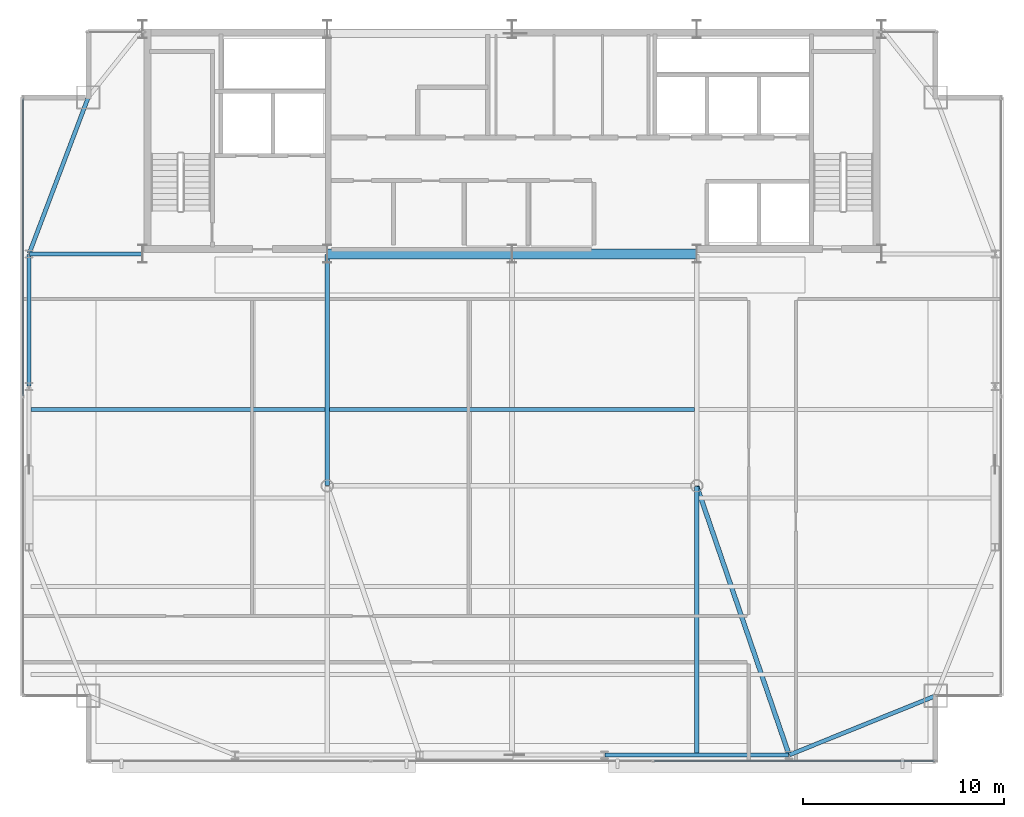
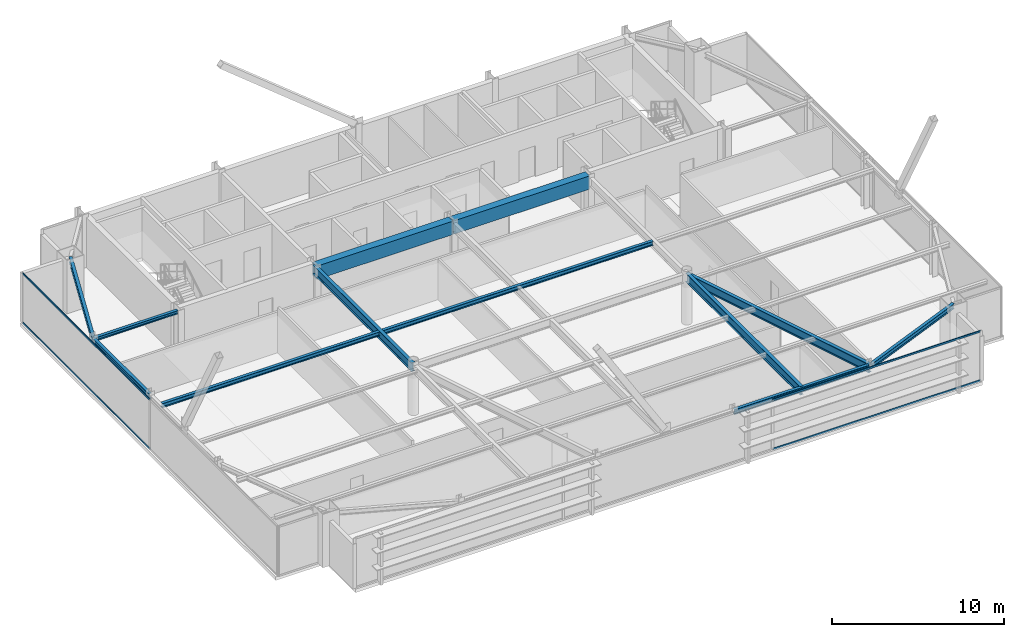
# One storey, part 11 of 27: 12 beams, 4 members, 2 elements without a shape of their own.
"""IFC4 building model written with IfcOpenShell, lengths in metres."""

from ifc_helpers import new_model, si_unit, direction, frame, origin, origin_2d, place, context, subcontext, project, spatial, rectangle, hollow_rectangle, i_section, extrude, source, transform, mapped, material, layer, layer_set, material_profile, profile_set, type_object, type_shapes, element, aggregate, save


model = new_model("IFC4")

# Units and contexts
model_context = context("Model", 3, precision=1e-05, world=origin(), true_north=direction((0.0, 1.0)))
body_context = subcontext(model_context, "Body", "Model", "MODEL_VIEW")
ifc_project = project(units=[si_unit("LENGTHUNIT", "METRE"), si_unit("AREAUNIT", "SQUARE_METRE"), si_unit("VOLUMEUNIT", "CUBIC_METRE"), si_unit("PLANEANGLEUNIT", "RADIAN"), si_unit("MASSUNIT", "GRAM", prefix="KILO")], contexts=[model_context])

# Site, building, storey
site_placement = place(None, origin())
site = spatial("IfcSite", under=ifc_project, at=site_placement, CompositionType="ELEMENT")
building_placement = place(site_placement, origin())
building = spatial("IfcBuilding", under=site, at=building_placement, Name="Varnel Quay Broadcast Tower", CompositionType="ELEMENT")
storey_placement = place(building_placement, frame((0.0, 0.0, 203.60009765625)))
storey = spatial("IfcBuildingStorey", under=building, at=storey_placement, Name="L50", CompositionType="ELEMENT", Elevation=203.60009765625)

# Beams
ifc_material_1 = material(Name="Concrete CSA A23.3 C50/60", Category="concrete")
ifc_material_profile_1 = material_profile(ifc_material_1, rectangle(XDim=0.5, YDim=0.949951171875, at=origin_2d()), Name="RC500X950")
ifc_profile_set_1 = profile_set([ifc_material_profile_1], Name="Concrete CSA A23.3 C50/60")
beam_type_1 = type_object("IfcBeamType", Name="Beam_RC500X950", PredefinedType="BEAM", material=ifc_profile_set_1)
shared_shape_1 = source(origin(), body_context, "Body", "SweptSolid", [
    extrude(rectangle(XDim=0.5, YDim=0.949951171875, at=origin_2d()), origin(), (0.0, 0.0, 1.0), 9.159912109375),
])
type_shapes(beam_type_1, [shared_shape_1])
for number, where, z_axis, x_axis, name in (
    (1, (24.820068359375, 35.60009765625, 3.074951171875), (1.0, 0.0, 0.0), (0.0, 1.0, 0.0), "L50 Core Coupling Beam W"),
    (2, (34.02001953125, 35.60009765625, 3.074951171875), (1.0, 0.0, 0.0), (0.0, 1.0, 0.0), "L50 Core Coupling Beam E"),
):
    element("IfcBeam", number, at=place(storey_placement, frame(where, z_axis=z_axis, x_axis=x_axis)), inside=storey, type_object=beam_type_1, Name=name, PredefinedType="BEAM", context=body_context, shape_type="MappedRepresentation", body=[
        mapped(shared_shape_1, transform((0.0, 0.0, 0.0), x_axis=(1.0, 0.0, 0.0), y_axis=(0.0, 1.0, 0.0), z_axis=(0.0, 0.0, 1.0), scale=1.0)),
    ])
ifc_material_2 = material(Name="Structural Steel CSA G40.21 350W", Category="steel")
ifc_material_profile_2 = material_profile(ifc_material_2, i_section(OverallWidth=0.205078125, OverallDepth=0.35400390625, WebThickness=0.009521484375, FlangeThickness=0.016845703125, FilletRadius=0.012939453125, at=origin_2d()), Name="W360X79")
ifc_profile_set_2 = profile_set([ifc_material_profile_2], Name="Structural Steel CSA G40.21 350W")
beam_type_2 = type_object("IfcBeamType", Name="Beam_W360X79", PredefinedType="SPANDREL", material=ifc_profile_set_2)
shared_shape_2 = source(origin(), body_context, "Body", "SweptSolid", [
    extrude(i_section(OverallWidth=0.205078125, OverallDepth=0.35400390625, WebThickness=0.009521484375, FlangeThickness=0.016845703125, FilletRadius=0.012939453125, at=origin_2d()), origin(), (0.0, 0.0, 1.0), 7.83349609375),
])
beam_1_placement = place(storey_placement, frame((47.818603515625, 10.657470703125, 3.372802734375), z_axis=(0.927155449606, 0.374676890489, 0.0), x_axis=(-0.374676890489, 0.927155449606, 0.0)))
element("IfcBeam", 3, at=beam_1_placement, inside=storey, type_object=beam_type_2, Name="L50 South Spandrel TC-S4-MC-SE", PredefinedType="SPANDREL", context=body_context, shape_type="MappedRepresentation", body=[
    mapped(shared_shape_2, transform((0.0, 0.0, 0.0), x_axis=(1.0, 0.0, 0.0), y_axis=(0.0, 1.0, 0.0), z_axis=(0.0, 0.0, 1.0), scale=1.0)),
])
shared_shape_3 = source(origin(), body_context, "Body", "SweptSolid", [
    extrude(i_section(OverallWidth=0.205078125, OverallDepth=0.35400390625, WebThickness=0.009521484375, FlangeThickness=0.016845703125, FilletRadius=0.012939453125, at=origin_2d()), origin(), (0.0, 0.0, 1.0), 9.159912109375),
])
beam_2_placement = place(storey_placement, frame((38.6201171875, 10.64990234375, 3.372802734375), z_axis=(1.0, 0.0, 0.0), x_axis=(0.0, 1.0, 0.0)))
element("IfcBeam", 4, at=beam_2_placement, inside=storey, type_object=beam_type_2, Name="L50 South Spandrel TC-S3-TC-S4", PredefinedType="SPANDREL", context=body_context, shape_type="MappedRepresentation", body=[
    mapped(shared_shape_3, transform((0.0, 0.0, 0.0), x_axis=(1.0, 0.0, 0.0), y_axis=(0.0, 1.0, 0.0), z_axis=(0.0, 0.0, 1.0), scale=1.0)),
])
shared_shape_4 = source(origin(), body_context, "Body", "SweptSolid", [
    extrude(i_section(OverallWidth=0.205078125, OverallDepth=0.35400390625, WebThickness=0.009521484375, FlangeThickness=0.016845703125, FilletRadius=0.012939453125, at=origin_2d()), origin(), (0.0, 0.0, 1.0), 6.56005859375),
])
beam_3_placement = place(storey_placement, frame((9.949951171875, 29.02001953125, 3.372802734375), z_axis=(0.0, 1.0, 0.0), x_axis=(-1.0, 0.0, 0.0)))
element("IfcBeam", 5, at=beam_3_placement, inside=storey, type_object=beam_type_2, Name="L50 West Spandrel TC-W2-TC-W3", PredefinedType="SPANDREL", context=body_context, shape_type="MappedRepresentation", body=[
    mapped(shared_shape_4, transform((0.0, 0.0, 0.0), x_axis=(1.0, 0.0, 0.0), y_axis=(0.0, 1.0, 0.0), z_axis=(0.0, 0.0, 1.0), scale=1.0)),
])
shared_shape_5 = source(origin(), body_context, "Body", "SweptSolid", [
    extrude(i_section(OverallWidth=0.205078125, OverallDepth=0.35400390625, WebThickness=0.009521484375, FlangeThickness=0.016845703125, FilletRadius=0.012939453125, at=origin_2d()), origin(), (0.0, 0.0, 1.0), 8.29931640625),
])
type_shapes(beam_type_2, [shared_shape_2, shared_shape_3, shared_shape_4, shared_shape_5])
beam_4_placement = place(storey_placement, frame((9.95703125, 35.61865234375, 3.372802734375), z_axis=(0.353739782058, 0.935343876117, 0.0), x_axis=(-0.935343876117, 0.353739782058, 0.0)))
element("IfcBeam", 6, at=beam_4_placement, inside=storey, type_object=beam_type_2, Name="L50 West Spandrel TC-W3-MC-NW", PredefinedType="SPANDREL", context=body_context, shape_type="MappedRepresentation", body=[
    mapped(shared_shape_5, transform((0.0, 0.0, 0.0), x_axis=(1.0, 0.0, 0.0), y_axis=(0.0, 1.0, 0.0), z_axis=(0.0, 0.0, 1.0), scale=1.0)),
])
ifc_material_profile_3 = material_profile(ifc_material_2, i_section(OverallWidth=0.22998046875, OverallDepth=0.616943359375, WebThickness=0.01318359375, FlangeThickness=0.022216796875, FilletRadius=0.01611328125, at=origin_2d()), Name="W610X140")
ifc_profile_set_3 = profile_set([ifc_material_profile_3], Name="Structural Steel CSA G40.21 350W")
beam_type_3 = type_object("IfcBeamType", Name="Girder_W610X140", PredefinedType="BEAM", material=ifc_profile_set_3)
shared_shape_6 = source(origin(), body_context, "Body", "SweptSolid", [
    extrude(i_section(OverallWidth=0.22998046875, OverallDepth=0.616943359375, WebThickness=0.01318359375, FlangeThickness=0.022216796875, FilletRadius=0.01611328125, at=origin_2d()), origin(), (0.0, 0.0, 1.0), 14.12744140625),
])
beam_5_placement = place(storey_placement, frame((47.79345703125, 10.6689453125, 3.241455078125), z_axis=(-0.324681288447, 0.945823482967, 0.0), x_axis=(-0.945823482967, -0.324681288447, 0.0)))
element("IfcBeam", 7, at=beam_5_placement, inside=storey, type_object=beam_type_3, Name="L50 Primary Girder TC-S4-IC-02", PredefinedType="BEAM", context=body_context, shape_type="MappedRepresentation", body=[
    mapped(shared_shape_6, transform((0.0, 0.0, 0.0), x_axis=(1.0, 0.0, 0.0), y_axis=(0.0, 1.0, 0.0), z_axis=(0.0, 0.0, 1.0), scale=1.0)),
])
shared_shape_7 = source(origin(), body_context, "Body", "SweptSolid", [
    extrude(i_section(OverallWidth=0.22998046875, OverallDepth=0.616943359375, WebThickness=0.01318359375, FlangeThickness=0.022216796875, FilletRadius=0.01611328125, at=origin_2d()), origin(), (0.0, 0.0, 1.0), 11.510009765625),
])
beam_6_placement = place(storey_placement, frame((24.800048828125, 24.070068359375, 3.241455078125), z_axis=(0.0, 1.0, 0.0), x_axis=(-1.0, 0.0, 0.0)))
element("IfcBeam", 8, at=beam_6_placement, inside=storey, type_object=beam_type_3, Name="L50 Primary Girder IC-01-CC-S2", PredefinedType="BEAM", context=body_context, shape_type="MappedRepresentation", body=[
    mapped(shared_shape_7, transform((0.0, 0.0, 0.0), x_axis=(1.0, 0.0, 0.0), y_axis=(0.0, 1.0, 0.0), z_axis=(0.0, 0.0, 1.0), scale=1.0)),
])
shared_shape_8 = source(origin(), body_context, "Body", "SweptSolid", [
    extrude(i_section(OverallWidth=0.22998046875, OverallDepth=0.616943359375, WebThickness=0.01318359375, FlangeThickness=0.022216796875, FilletRadius=0.01611328125, at=origin_2d()), origin(), (0.0, 0.0, 1.0), 13.360107421875),
])
type_shapes(beam_type_3, [shared_shape_6, shared_shape_7, shared_shape_8])
beam_7_placement = place(storey_placement, frame((43.199951171875, 10.669921875, 3.241455078125), z_axis=(0.0, 1.0, 0.0), x_axis=(-1.0, 0.0, 0.0)))
element("IfcBeam", 9, at=beam_7_placement, inside=storey, type_object=beam_type_3, Name="L50 N-S Joist Header IC-02S", PredefinedType="BEAM", context=body_context, shape_type="MappedRepresentation", body=[
    mapped(shared_shape_8, transform((0.0, 0.0, 0.0), x_axis=(1.0, 0.0, 0.0), y_axis=(0.0, 1.0, 0.0), z_axis=(0.0, 0.0, 1.0), scale=1.0)),
])
ifc_material_profile_4 = material_profile(ifc_material_2, i_section(OverallWidth=0.201904296875, OverallDepth=0.2470703125, WebThickness=0.00732421875, FlangeThickness=0.010986328125, FilletRadius=0.010986328125, at=origin_2d()), Name="W250X49")
ifc_profile_set_4 = profile_set([ifc_material_profile_4], Name="Structural Steel CSA G40.21 350W")
beam_type_4 = type_object("IfcBeamType", Name="Beam_W250X49", PredefinedType="JOIST", material=ifc_profile_set_4)
shared_shape_9 = source(origin(), body_context, "Body", "SweptSolid", [
    extrude(i_section(OverallWidth=0.201904296875, OverallDepth=0.2470703125, WebThickness=0.00732421875, FlangeThickness=0.010986328125, FilletRadius=0.010986328125, at=origin_2d()), origin(), (0.0, 0.0, 1.0), 5.610107421875),
])
type_shapes(beam_type_4, [shared_shape_9])
beam_8_placement = place(storey_placement, frame((9.969970703125, 35.60009765625, 3.426513671875), z_axis=(1.0, 0.0, 0.0), x_axis=(0.0, 1.0, 0.0)))
element("IfcBeam", 10, at=beam_8_placement, inside=storey, type_object=beam_type_4, Name="L50 West Core Tie Joist", PredefinedType="JOIST", context=body_context, shape_type="MappedRepresentation", body=[
    mapped(shared_shape_9, transform((0.0, 0.0, 0.0), x_axis=(1.0, 0.0, 0.0), y_axis=(0.0, 1.0, 0.0), z_axis=(0.0, 0.0, 1.0), scale=1.0)),
])
ifc_material_profile_5 = material_profile(ifc_material_2, i_section(OverallWidth=0.202880859375, OverallDepth=0.302978515625, WebThickness=0.007568359375, FlangeThickness=0.01318359375, FilletRadius=0.011962890625, at=origin_2d()), Name="W310X60")
ifc_profile_set_5 = profile_set([ifc_material_profile_5], Name="Structural Steel CSA G40.21 350W")
beam_type_5 = type_object("IfcBeamType", Name="Beam_W310X60", PredefinedType="JOIST", material=ifc_profile_set_5)
shared_shape_10 = source(origin(), body_context, "Body", "SweptSolid", [
    extrude(i_section(OverallWidth=0.202880859375, OverallDepth=0.302978515625, WebThickness=0.007568359375, FlangeThickness=0.01318359375, FilletRadius=0.011962890625, at=origin_2d()), origin(), (0.0, 0.0, 1.0), 14.642333984375),
])
beam_9_placement = place(storey_placement, frame((10.047607421875, 27.85009765625, 3.3984375), z_axis=(1.0, 0.0, 0.0), x_axis=(0.0, 1.0, 0.0)))
element("IfcBeam", 11, at=beam_9_placement, inside=storey, type_object=beam_type_5, Name="L50 West Floor Joist 4", PredefinedType="JOIST", context=body_context, shape_type="MappedRepresentation", body=[
    mapped(shared_shape_10, transform((0.0, 0.0, 0.0), x_axis=(1.0, 0.0, 0.0), y_axis=(0.0, 1.0, 0.0), z_axis=(0.0, 0.0, 1.0), scale=1.0)),
])
shared_shape_11 = source(origin(), body_context, "Body", "SweptSolid", [
    extrude(i_section(OverallWidth=0.202880859375, OverallDepth=0.302978515625, WebThickness=0.007568359375, FlangeThickness=0.01318359375, FilletRadius=0.011962890625, at=origin_2d()), origin(), (0.0, 0.0, 1.0), 18.18017578125),
])
type_shapes(beam_type_5, [shared_shape_10, shared_shape_11])
beam_10_placement = place(storey_placement, frame((24.909912109375, 27.85009765625, 3.3984375), z_axis=(1.0, 0.0, 0.0), x_axis=(0.0, 1.0, 0.0)))
element("IfcBeam", 12, at=beam_10_placement, inside=storey, type_object=beam_type_5, Name="L50 Central Floor Joist 4", PredefinedType="JOIST", context=body_context, shape_type="MappedRepresentation", body=[
    mapped(shared_shape_11, transform((0.0, 0.0, 0.0), x_axis=(1.0, 0.0, 0.0), y_axis=(0.0, 1.0, 0.0), z_axis=(0.0, 0.0, 1.0), scale=1.0)),
])

# Curtain wall, members
ifc_material_3 = material(Name="Anodised Bronze Aluminium 6063-T6", Category="aluminium")
ifc_layer = layer(ifc_material_3, 0.18994140625, Name="Anodised Bronze Aluminium 6063-T6")
ifc_layer_set = layer_set([ifc_layer], Name="Anodised Bronze Aluminium 6063-T6")
curtain_wall_type = type_object("IfcCurtainWallType", Name="CW_UpperTower", PredefinedType="NOTDEFINED", material=ifc_layer_set)
curtain_wall_1_placement = place(storey_placement, origin())
curtain_wall_1 = element("IfcCurtainWall", 13, at=curtain_wall_1_placement, inside=storey, type_object=curtain_wall_type, Name="L50 West Unitised Curtain Wall", PredefinedType="NOTDEFINED")
ifc_material_profile_6 = material_profile(ifc_material_3, hollow_rectangle(XDim=0.06005859375, YDim=0.125, WallThickness=0.0029296875, at=origin_2d()), Name="ALU60X125X3")
ifc_profile_set_6 = profile_set([ifc_material_profile_6], Name="Anodised Bronze Aluminium 6063-T6")
member_type = type_object("IfcMemberType", Name="Tran_CWS-03", PredefinedType="USERDEFINED", material=ifc_profile_set_6)
shared_shape_12 = source(origin(), body_context, "Body", "SweptSolid", [
    extrude(hollow_rectangle(XDim=0.06005859375, YDim=0.125, WallThickness=0.0029296875, at=origin_2d()), origin(), (0.0, 0.0, 1.0), 14.802490234375),
])
member_1_placement = place(storey_placement, frame((9.64990234375, 28.532470703125, 0.02978515625), z_axis=(0.0, 1.0, 0.0), x_axis=(-1.0, 0.0, 0.0)))
member_1 = element("IfcMember", 14, at=member_1_placement, type_object=member_type, Name="CWS-03 transom 2.1", ObjectType="TRANSOM", PredefinedType="USERDEFINED", context=body_context, shape_type="MappedRepresentation", body=[
    mapped(shared_shape_12, transform((0.0, 0.0, 0.0), x_axis=(1.0, 0.0, 0.0), y_axis=(0.0, 1.0, 0.0), z_axis=(0.0, 0.0, 1.0), scale=1.0)),
])
member_2_placement = place(storey_placement, frame((9.64990234375, 28.532470703125, 3.52001953125), z_axis=(0.0, 1.0, 0.0), x_axis=(-1.0, 0.0, 0.0)))
member_2 = element("IfcMember", 15, at=member_2_placement, type_object=member_type, Name="CWS-03 transom 2.2", ObjectType="TRANSOM", PredefinedType="USERDEFINED", context=body_context, shape_type="MappedRepresentation", body=[
    mapped(shared_shape_12, transform((0.0, 0.0, 0.0), x_axis=(1.0, 0.0, 0.0), y_axis=(0.0, 1.0, 0.0), z_axis=(0.0, 0.0, 1.0), scale=1.0)),
])
aggregate(curtain_wall_1, [member_1, member_2])

curtain_wall_2_placement = place(storey_placement, origin())
curtain_wall_2 = element("IfcCurtainWall", 16, at=curtain_wall_2_placement, inside=storey, type_object=curtain_wall_type, Name="L50 South Unitised Curtain Wall 1", PredefinedType="NOTDEFINED")
shared_shape_13 = source(origin(), body_context, "Body", "SweptSolid", [
    extrude(hollow_rectangle(XDim=0.06005859375, YDim=0.125, WallThickness=0.0029296875, at=origin_2d()), origin(), (0.0, 0.0, 1.0), 13.968994140625),
])
type_shapes(member_type, [shared_shape_12, shared_shape_13])
member_3_placement = place(storey_placement, frame((41.06591796875, 10.35009765625, 0.02978515625), z_axis=(1.0, 0.0, 0.0), x_axis=(0.0, 1.0, 0.0)))
member_3 = element("IfcMember", 17, at=member_3_placement, type_object=member_type, Name="CWS-03 transom 3.1", ObjectType="TRANSOM", PredefinedType="USERDEFINED", context=body_context, shape_type="MappedRepresentation", body=[
    mapped(shared_shape_13, transform((0.0, 0.0, 0.0), x_axis=(1.0, 0.0, 0.0), y_axis=(0.0, 1.0, 0.0), z_axis=(0.0, 0.0, 1.0), scale=1.0)),
])
member_4_placement = place(storey_placement, frame((41.06591796875, 10.35009765625, 3.52001953125), z_axis=(1.0, 0.0, 0.0), x_axis=(0.0, 1.0, 0.0)))
member_4 = element("IfcMember", 18, at=member_4_placement, type_object=member_type, Name="CWS-03 transom 3.2", ObjectType="TRANSOM", PredefinedType="USERDEFINED", context=body_context, shape_type="MappedRepresentation", body=[
    mapped(shared_shape_13, transform((0.0, 0.0, 0.0), x_axis=(1.0, 0.0, 0.0), y_axis=(0.0, 1.0, 0.0), z_axis=(0.0, 0.0, 1.0), scale=1.0)),
])
aggregate(curtain_wall_2, [member_3, member_4])

save(model, "model.ifc")
